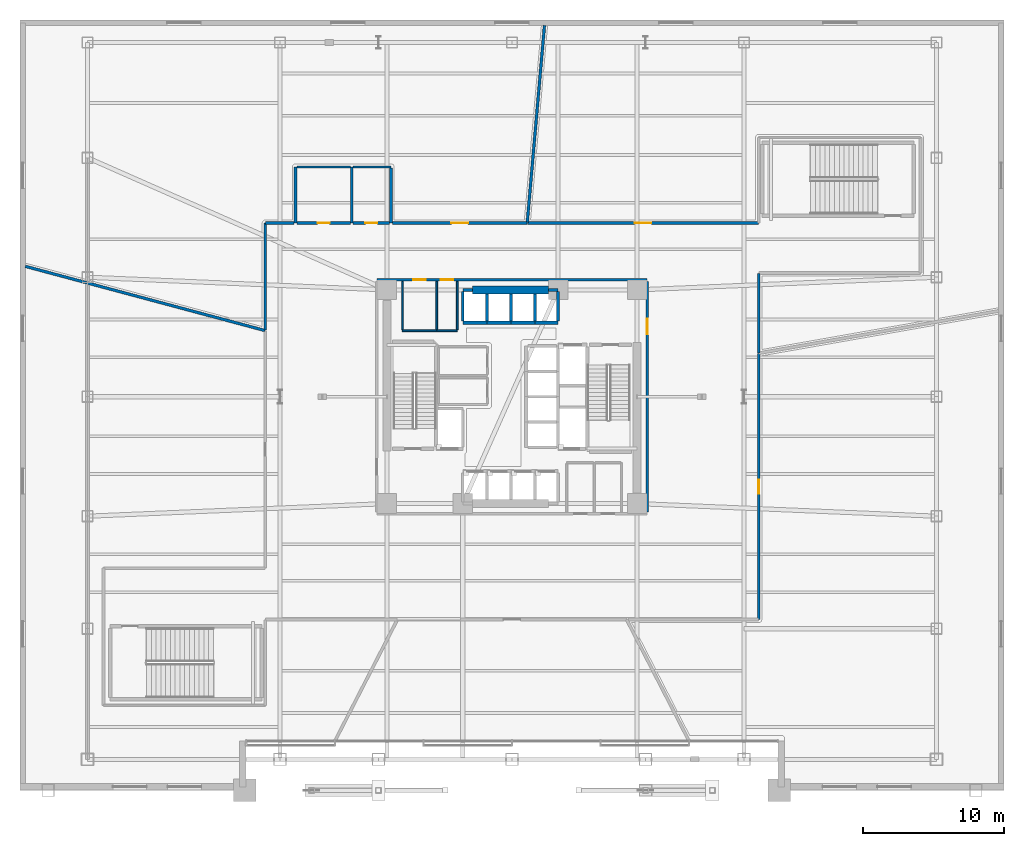
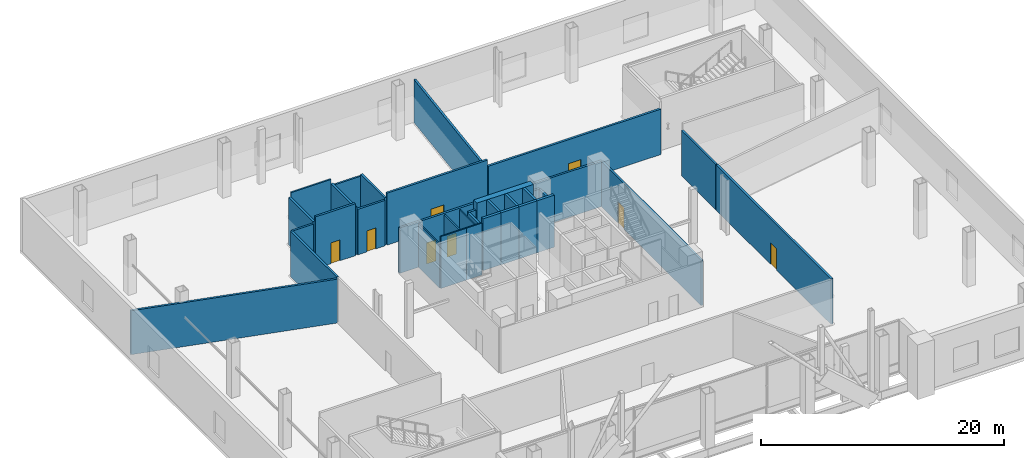
# One storey, part 10 of 16: 34 walls, 8 doors, 8 openings.
"""IFC4 building model written with IfcOpenShell, lengths in metres."""

from ifc_helpers import new_model, si_unit, direction, frame, frame_2d, origin, place, context, subcontext, project, spatial, rectangle, extrude, material, layer, layer_set, type_object, element, fill, save


model = new_model("IFC4")

# Units and contexts
model_context = context("Model", 3, precision=1e-05, world=origin(), true_north=direction((0.0, 1.0)))
body_context = subcontext(model_context, "Body", "Model", "MODEL_VIEW")
ifc_project = project(units=[si_unit("LENGTHUNIT", "METRE"), si_unit("AREAUNIT", "SQUARE_METRE"), si_unit("VOLUMEUNIT", "CUBIC_METRE"), si_unit("PLANEANGLEUNIT", "RADIAN"), si_unit("MASSUNIT", "GRAM", prefix="KILO")], contexts=[model_context])

# Site, building, storey
site_placement = place(None, origin())
site = spatial("IfcSite", under=ifc_project, at=site_placement, CompositionType="ELEMENT")
building_placement = place(site_placement, origin())
building = spatial("IfcBuilding", under=site, at=building_placement, Name="Tharavind Bronze Gate", CompositionType="ELEMENT")
storey_placement = place(building_placement, frame((0.0, 0.0, 5.5)))
storey = spatial("IfcBuildingStorey", under=building, at=storey_placement, Name="L01", CompositionType="ELEMENT", Elevation=5.5)

# Wall, openings, doors
ifc_material_1 = material(Name="Aerated Concrete Block", Category="concrete")
ifc_layer_1 = layer(ifc_material_1, 0.199951171875)
ifc_layer_set_1 = layer_set([ifc_layer_1], Name="Aerated Concrete Block")
wall_type_1 = type_object("IfcWallType", Name="FIRE RATED PARTITION 200", PredefinedType="PARTITIONING", material=ifc_layer_set_1)
wall_1_placement = place(storey_placement, frame((9.6201171875, 8.320068359375, 0.0), z_axis=(0.0, 0.0, 1.0), x_axis=(-1.0, 0.0, 0.0)))
wall_1 = element("IfcWall", 1, at=wall_1_placement, inside=storey, type_object=wall_type_1, Name="L01 north core corridor wall", PredefinedType="PARTITIONING", context=body_context, shape_type="SweptSolid", body=[
    extrude(rectangle(XDim=19.240234375, YDim=0.199951171875, at=frame_2d((9.6201171875, 0.0))), origin(), (0.0, 0.0, 1.0), 4.56494140625),
])
opening_1_placement = place(wall_1_placement, frame((15.7451171875, 0.0, 0.0)))
opening_1 = element("IfcOpeningElement", 2, at=opening_1_placement, cuts=wall_1, Name="Opening ID07", PredefinedType="OPENING", context=body_context, shape_type="SweptSolid", body=[
    extrude(rectangle(XDim=0.89990234375, YDim=2.10009765625, at=frame_2d((0.449951171875, 1.050048828125))), frame((0.0, 0.11009765625, 0.0), z_axis=(0.0, -1.0, 0.0), x_axis=(1.0, 0.0, 0.0)), (0.0, 0.0, 1.0), 0.219951171875),
])
opening_2_placement = place(wall_1_placement, frame((13.794921875, 0.0, 0.0)))
opening_2 = element("IfcOpeningElement", 3, at=opening_2_placement, cuts=wall_1, Name="Opening ID07", PredefinedType="OPENING", context=body_context, shape_type="SweptSolid", body=[
    extrude(rectangle(XDim=0.89990234375, YDim=2.10009765625, at=frame_2d((0.449951171875, 1.050048828125))), frame((0.0, 0.11009765625, 0.0), z_axis=(0.0, -1.0, 0.0), x_axis=(1.0, 0.0, 0.0)), (0.0, 0.0, 1.0), 0.219951171875),
])
ifc_material_2 = material(Name="Galvanised Fire Steel", Category="steel")
door_type_1 = type_object("IfcDoorType", Name="PLANT AND RISER FIRE DOOR 900X2100", OperationType="SINGLE_SWING_LEFT", PredefinedType="DOOR", material=ifc_material_2)
door_1_placement = place(opening_1_placement, origin())
door_1 = element("IfcDoor", 4, at=door_1_placement, inside=storey, type_object=door_type_1, Name="L01 Electrical Metering Room fire door", OperationType="SINGLE_SWING_LEFT", OverallHeight=2.10009765625, OverallWidth=0.89990234375, PredefinedType="DOOR", context=body_context, shape_type="SweptSolid", body=[
    extrude(rectangle(XDim=0.89990234375, YDim=2.10009765625, at=frame_2d((0.449951171875, 1.050048828125))), frame((0.0, 0.02490234375, 0.0), z_axis=(0.0, -1.0, 0.0), x_axis=(1.0, 0.0, 0.0)), (0.0, 0.0, 1.0), 0.050048828125),
])
fill(opening_1, door_1)
door_2_placement = place(opening_2_placement, origin())
door_2 = element("IfcDoor", 5, at=door_2_placement, inside=storey, type_object=door_type_1, Name="L01 Linen Cupboard fire door", OperationType="SINGLE_SWING_LEFT", OverallHeight=2.10009765625, OverallWidth=0.89990234375, PredefinedType="DOOR", context=body_context, shape_type="SweptSolid", body=[
    extrude(rectangle(XDim=0.89990234375, YDim=2.10009765625, at=frame_2d((0.449951171875, 1.050048828125))), frame((0.0, 0.02490234375, 0.0), z_axis=(0.0, -1.0, 0.0), x_axis=(1.0, 0.0, 0.0)), (0.0, 0.0, 1.0), 0.050048828125),
])
fill(opening_2, door_2)

# Wall, opening, door
wall_2_placement = place(storey_placement, frame((9.6201171875, -8.199951171875, 0.0), z_axis=(0.0, 0.0, 1.0), x_axis=(0.0, 1.0, 0.0)))
wall_2 = element("IfcWall", 6, at=wall_2_placement, inside=storey, type_object=wall_type_1, Name="L01 east core corridor wall", PredefinedType="PARTITIONING", context=body_context, shape_type="SweptSolid", body=[
    extrude(rectangle(XDim=16.39990234375, YDim=0.199951171875, at=frame_2d((8.199951171875, 0.0))), origin(), (0.0, 0.0, 1.0), 4.56494140625),
])
opening_3_placement = place(wall_2_placement, frame((12.64990234375, 0.0, 0.0)))
opening_3 = element("IfcOpeningElement", 7, at=opening_3_placement, cuts=wall_2, Name="Opening ID01", PredefinedType="OPENING", context=body_context, shape_type="SweptSolid", body=[
    extrude(rectangle(XDim=1.10009765625, YDim=2.14990234375, at=frame_2d((0.550048828125, 1.074951171875))), frame((0.0, 0.11009765625, 0.0), z_axis=(0.0, -1.0, 0.0), x_axis=(1.0, 0.0, 0.0)), (0.0, 0.0, 1.0), 0.219951171875),
])
ifc_material_3 = material(Name="Fire-Rated Steel", Category="steel")
door_type_2 = type_object("IfcDoorType", Name="STAIR CORE FIRE DOOR 1100X2150", OperationType="SINGLE_SWING_LEFT", PredefinedType="DOOR", material=ifc_material_3)
door_3_placement = place(opening_3_placement, frame((1.10009765625, 0.0, 0.0), z_axis=(0.0, 0.0, 1.0), x_axis=(-1.0, 0.0, 0.0)))
door_3 = element("IfcDoor", 8, at=door_3_placement, inside=storey, type_object=door_type_2, Name="L01 north east stair lobby fire door", OperationType="SINGLE_SWING_LEFT", OverallHeight=2.14990234375, OverallWidth=1.10009765625, PredefinedType="DOOR", context=body_context, shape_type="SweptSolid", body=[
    extrude(rectangle(XDim=1.10009765625, YDim=2.14990234375, at=frame_2d((0.550048828125, 1.074951171875))), frame((0.0, 0.02490234375, 0.0), z_axis=(0.0, -1.0, 0.0), x_axis=(1.0, 0.0, 0.0)), (0.0, 0.0, 1.0), 0.050048828125),
])
fill(opening_3, door_3)

# Walls
wall_3_placement = place(storey_placement, frame((-11.39990234375, 12.35009765625, 0.0), z_axis=(0.0, 0.0, 1.0), x_axis=(0.0, 1.0, 0.0)))
element("IfcWall", 9, at=wall_3_placement, inside=storey, type_object=wall_type_1, Name="L01 Accessible Toilet partition", PredefinedType="PARTITIONING", context=body_context, shape_type="SweptSolid", body=[
    extrude(rectangle(XDim=4.0, YDim=0.199951171875, at=frame_2d((2.0, 0.0))), origin(), (0.0, 0.0, 1.0), 4.764892578125),
])
wall_4_placement = place(storey_placement, frame((-8.60009765625, 16.27001953125, 0.0), z_axis=(0.0, 0.0, 1.0), x_axis=(0.0, -1.0, 0.0)))
element("IfcWall", 10, at=wall_4_placement, inside=storey, type_object=wall_type_1, Name="L01 Accessible Toilet partition", PredefinedType="PARTITIONING", context=body_context, shape_type="SweptSolid", body=[
    extrude(rectangle(XDim=3.919921875, YDim=0.199951171875, at=frame_2d((1.9599609375, 0.0))), origin(), (0.0, 0.0, 1.0), 4.764892578125),
])

# Wall, opening, door
wall_5_placement = place(storey_placement, frame((-8.705078125, 12.35009765625, 0.0), z_axis=(0.0, 0.0, 1.0), x_axis=(-1.0, 0.0, 0.0)))
wall_5 = element("IfcWall", 11, at=wall_5_placement, inside=storey, type_object=wall_type_1, Name="L01 Accessible Toilet partition", PredefinedType="PARTITIONING", context=body_context, shape_type="SweptSolid", body=[
    extrude(rectangle(XDim=2.58984375, YDim=0.199951171875, at=frame_2d((1.294921875, 0.0))), origin(), (0.0, 0.0, 1.0), 4.56494140625),
])
opening_4_placement = place(wall_5_placement, frame((0.8701171875, 0.0, 0.0)))
opening_4 = element("IfcOpeningElement", 12, at=opening_4_placement, cuts=wall_5, Name="Opening ID06", PredefinedType="OPENING", context=body_context, shape_type="SweptSolid", body=[
    extrude(rectangle(XDim=0.85009765625, YDim=2.10009765625, at=frame_2d((0.425048828125, 1.050048828125))), frame((0.0, 0.11009765625, 0.0), z_axis=(0.0, -1.0, 0.0), x_axis=(1.0, 0.0, 0.0)), (0.0, 0.0, 1.0), 0.219951171875),
])
ifc_material_4 = material(Name="Moisture-Resistant Timber", Category="wood")
door_type_3 = type_object("IfcDoorType", Name="BATHROOM PRIVACY DOOR 850X2100", OperationType="SINGLE_SWING_RIGHT", PredefinedType="DOOR", material=ifc_material_4)
door_4_placement = place(opening_4_placement, origin())
door_4 = element("IfcDoor", 13, at=door_4_placement, inside=storey, type_object=door_type_3, Name="L01 Accessible Toilet door", OperationType="SINGLE_SWING_RIGHT", OverallHeight=2.10009765625, OverallWidth=0.85009765625, PredefinedType="DOOR", context=body_context, shape_type="SweptSolid", body=[
    extrude(rectangle(XDim=0.85009765625, YDim=2.10009765625, at=frame_2d((0.425048828125, 1.050048828125))), frame((0.0, 0.02490234375, 0.0), z_axis=(0.0, -1.0, 0.0), x_axis=(1.0, 0.0, 0.0)), (0.0, 0.0, 1.0), 0.050048828125),
])
fill(opening_4, door_4)

# Wall
wall_6_placement = place(storey_placement, frame((-15.39990234375, 12.35009765625, 0.0), z_axis=(0.0, 0.0, 1.0), x_axis=(0.0, 1.0, 0.0)))
element("IfcWall", 14, at=wall_6_placement, inside=storey, type_object=wall_type_1, Name="L01 Public Washroom partition", PredefinedType="PARTITIONING", context=body_context, shape_type="SweptSolid", body=[
    extrude(rectangle(XDim=4.0, YDim=0.199951171875, at=frame_2d((2.0, 0.0))), origin(), (0.0, 0.0, 1.0), 4.764892578125),
])

# Wall, opening, door
wall_7_placement = place(storey_placement, frame((-11.5048828125, 12.35009765625, 0.0), z_axis=(0.0, 0.0, 1.0), x_axis=(-1.0, 0.0, 0.0)))
wall_7 = element("IfcWall", 15, at=wall_7_placement, inside=storey, type_object=wall_type_1, Name="L01 Public Washroom partition", PredefinedType="PARTITIONING", context=body_context, shape_type="SweptSolid", body=[
    extrude(rectangle(XDim=3.7900390625, YDim=0.199951171875, at=frame_2d((1.89501953125, 0.0))), origin(), (0.0, 0.0, 1.0), 5.219970703125),
])
opening_5_placement = place(wall_7_placement, frame((1.469970703125, 0.0, 0.0)))
opening_5 = element("IfcOpeningElement", 16, at=opening_5_placement, cuts=wall_7, Name="Opening ID06", PredefinedType="OPENING", context=body_context, shape_type="SweptSolid", body=[
    extrude(rectangle(XDim=0.85009765625, YDim=2.10009765625, at=frame_2d((0.425048828125, 1.050048828125))), frame((0.0, 0.11009765625, 0.0), z_axis=(0.0, -1.0, 0.0), x_axis=(1.0, 0.0, 0.0)), (0.0, 0.0, 1.0), 0.219951171875),
])
door_5_placement = place(opening_5_placement, origin())
door_5 = element("IfcDoor", 17, at=door_5_placement, inside=storey, type_object=door_type_3, Name="L01 Public Washroom door", OperationType="SINGLE_SWING_RIGHT", OverallHeight=2.10009765625, OverallWidth=0.85009765625, PredefinedType="DOOR", context=body_context, shape_type="SweptSolid", body=[
    extrude(rectangle(XDim=0.85009765625, YDim=2.10009765625, at=frame_2d((0.425048828125, 1.050048828125))), frame((0.0, 0.02490234375, 0.0), z_axis=(0.0, -1.0, 0.0), x_axis=(1.0, 0.0, 0.0)), (0.0, 0.0, 1.0), 0.050048828125),
])
fill(opening_5, door_5)

wall_8_placement = place(storey_placement, frame((17.52490234375, 12.35009765625, 0.0), z_axis=(0.0, 0.0, 1.0), x_axis=(-1.0, 0.0, 0.0)))
wall_8 = element("IfcWall", 18, at=wall_8_placement, inside=storey, type_object=wall_type_1, Name="L01 Mezzanine Art Gallery partition", PredefinedType="PARTITIONING", context=body_context, shape_type="SweptSolid", body=[
    extrude(rectangle(XDim=16.4169921875, YDim=0.199951171875, at=frame_2d((8.20849609375, 0.0))), origin(), (0.0, 0.0, 1.0), 4.56494140625),
])
opening_6_placement = place(wall_8_placement, frame((7.60888671875, 0.0, 0.0)))
opening_6 = element("IfcOpeningElement", 19, at=opening_6_placement, cuts=wall_8, Name="Opening ID05", PredefinedType="OPENING", context=body_context, shape_type="SweptSolid", body=[
    extrude(rectangle(XDim=1.199951171875, YDim=2.14990234375, at=frame_2d((0.60009765625, 1.074951171875))), frame((0.0, 0.11009765625, 0.0), z_axis=(0.0, -1.0, 0.0), x_axis=(1.0, 0.0, 0.0)), (0.0, 0.0, 1.0), 0.219951171875),
])
ifc_material_5 = material(Name="Acoustic Laminated Glass", Category="glass")
door_type_4 = type_object("IfcDoorType", Name="MEETING ROOM GLAZED DOOR 1200X2150", OperationType="SINGLE_SWING_LEFT", PredefinedType="DOOR", material=ifc_material_5)
door_6_placement = place(opening_6_placement, origin())
door_6 = element("IfcDoor", 20, at=door_6_placement, inside=storey, type_object=door_type_4, Name="L01 Mezzanine Art Gallery door", OperationType="SINGLE_SWING_LEFT", OverallHeight=2.14990234375, OverallWidth=1.199951171875, PredefinedType="DOOR", context=body_context, shape_type="SweptSolid", body=[
    extrude(rectangle(XDim=1.199951171875, YDim=2.14990234375, at=frame_2d((0.60009765625, 1.074951171875))), frame((0.0, 0.02490234375, 0.0), z_axis=(0.0, -1.0, 0.0), x_axis=(1.0, 0.0, 0.0)), (0.0, 0.0, 1.0), 0.050048828125),
])
fill(opening_6, door_6)

# Walls
wall_9_placement = place(storey_placement, frame((1.0830078125, 12.377197265625, 0.0), z_axis=(0.0, 0.0, 1.0), x_axis=(0.087151266389, 0.996195089712, 0.0)))
element("IfcWall", 21, at=wall_9_placement, inside=storey, type_object=wall_type_1, Name="L01 Mezzanine Art Gallery partition", PredefinedType="PARTITIONING", context=body_context, shape_type="SweptSolid", body=[
    extrude(rectangle(XDim=14.096435546875, YDim=0.199951171875, at=frame_2d((7.04833984375, 0.0))), origin(), (0.0, 0.0, 1.0), 4.31494140625),
])
wall_10_placement = place(storey_placement, frame((17.550048828125, 3.124267578125, 0.0), z_axis=(0.0, 0.0, 1.0), x_axis=(0.0, 1.0, 0.0)))
element("IfcWall", 22, at=wall_10_placement, inside=storey, type_object=wall_type_1, Name="L01 Mezzanine Art Gallery partition", PredefinedType="PARTITIONING", context=body_context, shape_type="SweptSolid", body=[
    extrude(rectangle(XDim=5.650634765625, YDim=0.199951171875, at=frame_2d((2.8251953125, 0.0))), origin(), (0.0, 0.0, 1.0), 4.56494140625),
])

# Wall, opening, door
wall_11_placement = place(storey_placement, frame((1.0576171875, 12.35009765625, 0.0), z_axis=(0.0, 0.0, 1.0), x_axis=(-1.0, 0.0, 0.0)))
wall_11 = element("IfcWall", 23, at=wall_11_placement, inside=storey, type_object=wall_type_1, Name="L01 Specialty Brasserie Restaurant partition", PredefinedType="PARTITIONING", context=body_context, shape_type="SweptSolid", body=[
    extrude(rectangle(XDim=9.552734375, YDim=0.199951171875, at=frame_2d((4.7763671875, 0.0))), origin(), (0.0, 0.0, 1.0), 5.219970703125),
])
opening_7_placement = place(wall_11_placement, frame((4.176025390625, 0.0, 0.0)))
opening_7 = element("IfcOpeningElement", 24, at=opening_7_placement, cuts=wall_11, Name="Opening ID05", PredefinedType="OPENING", context=body_context, shape_type="SweptSolid", body=[
    extrude(rectangle(XDim=1.199951171875, YDim=2.14990234375, at=frame_2d((0.60009765625, 1.074951171875))), frame((0.0, 0.11009765625, 0.0), z_axis=(0.0, -1.0, 0.0), x_axis=(1.0, 0.0, 0.0)), (0.0, 0.0, 1.0), 0.219951171875),
])
door_7_placement = place(opening_7_placement, origin())
door_7 = element("IfcDoor", 25, at=door_7_placement, inside=storey, type_object=door_type_4, Name="L01 Specialty Brasserie Restaurant door", OperationType="SINGLE_SWING_LEFT", OverallHeight=2.14990234375, OverallWidth=1.199951171875, PredefinedType="DOOR", context=body_context, shape_type="SweptSolid", body=[
    extrude(rectangle(XDim=1.199951171875, YDim=2.14990234375, at=frame_2d((0.60009765625, 1.074951171875))), frame((0.0, 0.02490234375, 0.0), z_axis=(0.0, -1.0, 0.0), x_axis=(1.0, 0.0, 0.0)), (0.0, 0.0, 1.0), 0.050048828125),
])
fill(opening_7, door_7)

# Walls
wall_12_placement = place(storey_placement, frame((-15.5048828125, 12.35009765625, 0.0), z_axis=(0.0, 0.0, 1.0), x_axis=(-1.0, 0.0, 0.0)))
element("IfcWall", 26, at=wall_12_placement, inside=storey, type_object=wall_type_1, Name="L01 Specialty Brasserie Restaurant partition", PredefinedType="PARTITIONING", context=body_context, shape_type="SweptSolid", body=[
    extrude(rectangle(XDim=2.04443359375, YDim=0.199951171875, at=frame_2d((1.022216796875, 0.0))), origin(), (0.0, 0.0, 1.0), 4.56494140625),
])
wall_13_placement = place(storey_placement, frame((-17.550048828125, 12.349365234375, 0.0), z_axis=(0.0, 0.0, 1.0), x_axis=(0.0, -1.0, 0.0)))
element("IfcWall", 27, at=wall_13_placement, inside=storey, type_object=wall_type_1, Name="L01 Specialty Brasserie Restaurant partition", PredefinedType="PARTITIONING", context=body_context, shape_type="SweptSolid", body=[
    extrude(rectangle(XDim=7.6142578125, YDim=0.199951171875, at=frame_2d((3.80712890625, 0.0))), origin(), (0.0, 0.0, 1.0), 4.56494140625),
])
wall_14_placement = place(storey_placement, frame((-17.58154296875, 4.7109375, 0.0), z_axis=(0.0, 0.0, 1.0), x_axis=(-0.965926428831, 0.258816796377, 0.0)))
element("IfcWall", 28, at=wall_14_placement, inside=storey, type_object=wall_type_1, Name="L01 Specialty Brasserie Restaurant partition", PredefinedType="PARTITIONING", context=body_context, shape_type="SweptSolid", body=[
    extrude(rectangle(XDim=17.6396484375, YDim=0.199951171875, at=frame_2d((8.81982421875, 0.0))), origin(), (0.0, 0.0, 1.0), 4.4150390625),
])

# Wall, opening, door
wall_15_placement = place(storey_placement, frame((17.550048828125, -15.849365234375, 0.0), z_axis=(0.0, 0.0, 1.0), x_axis=(0.0, 1.0, 0.0)))
wall_15 = element("IfcWall", 29, at=wall_15_placement, inside=storey, type_object=wall_type_1, Name="L01 Management Administration Office partition", PredefinedType="PARTITIONING", context=body_context, shape_type="SweptSolid", body=[
    extrude(rectangle(XDim=18.9228515625, YDim=0.199951171875, at=frame_2d((9.46142578125, 0.0))), origin(), (0.0, 0.0, 1.0), 4.56494140625),
])
opening_8_placement = place(wall_15_placement, frame((8.9609375, 0.0, 0.0)))
opening_8 = element("IfcOpeningElement", 30, at=opening_8_placement, cuts=wall_15, Name="Opening ID04", PredefinedType="OPENING", context=body_context, shape_type="SweptSolid", body=[
    extrude(rectangle(XDim=1.0, YDim=2.14990234375, at=frame_2d((0.5, 1.074951171875))), frame((0.0, 0.11009765625, 0.0), z_axis=(0.0, -1.0, 0.0), x_axis=(1.0, 0.0, 0.0)), (0.0, 0.0, 1.0), 0.219951171875),
])
ifc_material_6 = material(Name="Bronze Framed Acoustic Timber", Category="wood")
door_type_5 = type_object("IfcDoorType", Name="OFFICE TENANCY DOOR 1000X2150", OperationType="SINGLE_SWING_RIGHT", PredefinedType="DOOR", material=ifc_material_6)
door_8_placement = place(opening_8_placement, origin())
door_8 = element("IfcDoor", 31, at=door_8_placement, inside=storey, type_object=door_type_5, Name="L01 Management Administration Office door", OperationType="SINGLE_SWING_RIGHT", OverallHeight=2.14990234375, OverallWidth=1.0, PredefinedType="DOOR", context=body_context, shape_type="SweptSolid", body=[
    extrude(rectangle(XDim=1.0, YDim=2.14990234375, at=frame_2d((0.5, 1.074951171875))), frame((0.0, 0.02490234375, 0.0), z_axis=(0.0, -1.0, 0.0), x_axis=(1.0, 0.0, 0.0)), (0.0, 0.0, 1.0), 0.050048828125),
])
fill(opening_8, door_8)

# Walls
ifc_material_7 = material(Name="Metal Stud Gypsum Partition", Category="gypsum")
ifc_layer_2 = layer(ifc_material_7, 0.1201171875)
ifc_layer_set_2 = layer_set([ifc_layer_2], Name="Metal Stud Gypsum Partition")
wall_type_2 = type_object("IfcWallType", Name="INTERIOR PARTITION WALL 120", PredefinedType="PARTITIONING", material=ifc_layer_set_2)
wall_16_placement = place(storey_placement, frame((-7.800048828125, 4.699951171875, 0.0), z_axis=(0.0, 0.0, 1.0), x_axis=(1.0, 0.0, 0.0)))
element("IfcWall", 32, at=wall_16_placement, inside=storey, type_object=wall_type_2, Name="L01 Electrical Metering Room partition 1", PredefinedType="PARTITIONING", context=body_context, shape_type="SweptSolid", body=[
    extrude(rectangle(XDim=2.449951171875, YDim=0.1201171875, at=frame_2d((1.22509765625, 0.0))), origin(), (0.0, 0.0, 1.0), 5.219970703125),
])
for number, where, z_axis, x_axis, name in (
    (33, (-5.35009765625, 4.764892578125, 0.0), (0.0, 0.0, 1.0), (0.0, 1.0, 0.0), "L01 Electrical Metering Room partition 2"),
    (34, (-7.800048828125, 8.215087890625, 0.0), (0.0, 0.0, 1.0), (0.0, -1.0, 0.0), "L01 Electrical Metering Room partition 4"),
):
    element("IfcWall", number, at=place(storey_placement, frame(where, z_axis=z_axis, x_axis=x_axis)), inside=storey, type_object=wall_type_2, Name=name, PredefinedType="PARTITIONING", context=body_context, shape_type="SweptSolid", body=[
        extrude(rectangle(XDim=3.4501953125, YDim=0.1201171875, at=frame_2d((1.72509765625, 0.0))), origin(), (0.0, 0.0, 1.0), 4.4150390625),
    ])
wall_17_placement = place(storey_placement, frame((-5.35009765625, 4.699951171875, 0.0), z_axis=(0.0, 0.0, 1.0), x_axis=(1.0, 0.0, 0.0)))
element("IfcWall", 35, at=wall_17_placement, inside=storey, type_object=wall_type_2, Name="L01 Linen Cupboard partition 1", PredefinedType="PARTITIONING", context=body_context, shape_type="SweptSolid", body=[
    extrude(rectangle(XDim=1.4501953125, YDim=0.1201171875, at=frame_2d((0.72509765625, 0.0))), origin(), (0.0, 0.0, 1.0), 5.219970703125),
])
wall_18_placement = place(storey_placement, frame((-3.89990234375, 4.764892578125, 0.0), z_axis=(0.0, 0.0, 1.0), x_axis=(0.0, 1.0, 0.0)))
element("IfcWall", 36, at=wall_18_placement, inside=storey, type_object=wall_type_2, Name="L01 Linen Cupboard partition 2", PredefinedType="PARTITIONING", context=body_context, shape_type="SweptSolid", body=[
    extrude(rectangle(XDim=3.4501953125, YDim=0.1201171875, at=frame_2d((1.72509765625, 0.0))), origin(), (0.0, 0.0, 1.0), 4.4150390625),
])
ifc_material_8 = material(Name="Twin Stud Acoustic Gypsum", Category="gypsum")
ifc_layer_3 = layer(ifc_material_8, 0.14990234375)
ifc_layer_set_3 = layer_set([ifc_layer_3], Name="Twin Stud Acoustic Gypsum")
wall_type_3 = type_object("IfcWallType", Name="INTERIOR PARTITION WALL 150", PredefinedType="PARTITIONING", material=ifc_layer_set_3)
wall_19_placement = place(storey_placement, frame((-11.294921875, 16.35009765625, 0.0), z_axis=(0.0, 0.0, 1.0), x_axis=(1.0, 0.0, 0.0)))
element("IfcWall", 37, at=wall_19_placement, inside=storey, type_object=wall_type_3, Name="L01 Accessible Toilet partition", PredefinedType="PARTITIONING", context=body_context, shape_type="SweptSolid", body=[
    extrude(rectangle(XDim=2.69482421875, YDim=0.14990234375, at=frame_2d((1.347412109375, 0.0))), origin(), (0.0, 0.0, 1.0), 4.56494140625),
])
wall_20_placement = place(storey_placement, frame((-15.294921875, 16.35009765625, 0.0), z_axis=(0.0, 0.0, 1.0), x_axis=(1.0, 0.0, 0.0)))
element("IfcWall", 38, at=wall_20_placement, inside=storey, type_object=wall_type_3, Name="L01 Public Washroom partition", PredefinedType="PARTITIONING", context=body_context, shape_type="SweptSolid", body=[
    extrude(rectangle(XDim=3.7900390625, YDim=0.14990234375, at=frame_2d((1.89501953125, 0.0))), origin(), (0.0, 0.0, 1.0), 5.219970703125),
])
ifc_material_9 = material(Name="Concrete C50/60", Category="concrete")
ifc_layer_4 = layer(ifc_material_9, 0.25)
ifc_layer_set_4 = layer_set([ifc_layer_4], Name="Concrete C50/60")
wall_type_4 = type_object("IfcWallType", Name="RC CORE SHEAR WALL 250", PredefinedType="SHEAR", material=ifc_layer_set_4)
wall_21_placement = place(storey_placement, frame((-3.5, 5.25, 0.0), z_axis=(0.0, 0.0, 1.0), x_axis=(1.0, 0.0, 0.0)))
element("IfcWall", 39, at=wall_21_placement, inside=storey, type_object=wall_type_4, Name="L01 lift PL5 shaft front wall", PredefinedType="SHEAR", context=body_context, shape_type="SweptSolid", body=[
    extrude(rectangle(XDim=1.71240234375, YDim=0.25, at=frame_2d((0.856201171875, 0.0))), origin(), (0.0, 0.0, 1.0), 5.219970703125),
])
wall_22_placement = place(storey_placement, frame((-1.78759765625, 5.25, 0.0), z_axis=(0.0, 0.0, 1.0), x_axis=(1.0, 0.0, 0.0)))
element("IfcWall", 40, at=wall_22_placement, inside=storey, type_object=wall_type_4, Name="L01 lift PL6 shaft front wall", PredefinedType="SHEAR", context=body_context, shape_type="SweptSolid", body=[
    extrude(rectangle(XDim=1.712646484375, YDim=0.25, at=frame_2d((0.8564453125, 0.0))), origin(), (0.0, 0.0, 1.0), 5.219970703125),
])
wall_23_placement = place(storey_placement, frame((-0.074951171875, 5.25, 0.0), z_axis=(0.0, 0.0, 1.0), x_axis=(1.0, 0.0, 0.0)))
element("IfcWall", 41, at=wall_23_placement, inside=storey, type_object=wall_type_4, Name="L01 lift PL7 shaft front wall", PredefinedType="SHEAR", context=body_context, shape_type="SweptSolid", body=[
    extrude(rectangle(XDim=1.71240234375, YDim=0.25, at=frame_2d((0.856201171875, 0.0))), origin(), (0.0, 0.0, 1.0), 5.219970703125),
])
wall_24_placement = place(storey_placement, frame((1.637451171875, 5.25, 0.0), z_axis=(0.0, 0.0, 1.0), x_axis=(1.0, 0.0, 0.0)))
element("IfcWall", 42, at=wall_24_placement, inside=storey, type_object=wall_type_4, Name="L01 lift PL8 shaft front wall", PredefinedType="SHEAR", context=body_context, shape_type="SweptSolid", body=[
    extrude(rectangle(XDim=1.642578125, YDim=0.25, at=frame_2d((0.8212890625, 0.0))), origin(), (0.0, 0.0, 1.0), 5.219970703125),
])
ifc_material_10 = material(Name="Concrete C60/75", Category="concrete")
ifc_layer_5 = layer(ifc_material_10, 0.550048828125)
ifc_layer_set_5 = layer_set([ifc_layer_5], Name="Concrete C60/75")
wall_type_5 = type_object("IfcWallType", Name="RC CORE SHEAR WALL 550", PredefinedType="SHEAR", material=ifc_layer_set_5)
wall_25_placement = place(storey_placement, frame((-2.800048828125, 7.60009765625, 0.0), z_axis=(0.0, 0.0, 1.0), x_axis=(1.0, 0.0, 0.0)))
element("IfcWall", 43, at=wall_25_placement, inside=storey, type_object=wall_type_5, Name="L01 north core shear wall", PredefinedType="SHEAR", context=body_context, shape_type="SweptSolid", body=[
    extrude(rectangle(XDim=5.380126953125, YDim=0.550048828125, at=frame_2d((2.68994140625, 0.0))), origin(), (0.0, 0.0, 1.0), 5.219970703125),
])
ifc_material_11 = material(Name="Concrete C40/50", Category="concrete")
ifc_layer_6 = layer(ifc_material_11, 0.199951171875)
ifc_layer_set_6 = layer_set([ifc_layer_6], Name="Concrete C40/50")
wall_type_6 = type_object("IfcWallType", Name="SHAFT ENCLOSURE WALL 200", PredefinedType="PARTITIONING", material=ifc_layer_set_6)
wall_26_placement = place(storey_placement, frame((-3.5, 7.60009765625, 0.0), z_axis=(0.0, 0.0, 1.0), x_axis=(1.0, 0.0, 0.0)))
element("IfcWall", 44, at=wall_26_placement, inside=storey, type_object=wall_type_6, Name="L01 lift PL5 shaft N enclosure wall", PredefinedType="PARTITIONING", context=body_context, shape_type="SweptSolid", body=[
    extrude(rectangle(XDim=0.699951171875, YDim=0.199951171875, at=frame_2d((0.35009765625, 0.0))), origin(), (0.0, 0.0, 1.0), 4.4150390625),
])
wall_27_placement = place(storey_placement, frame((-3.5, 5.3798828125, 0.0), z_axis=(0.0, 0.0, 1.0), x_axis=(0.0, 1.0, 0.0)))
element("IfcWall", 45, at=wall_27_placement, inside=storey, type_object=wall_type_6, Name="L01 lift PL5 shaft W enclosure wall", PredefinedType="PARTITIONING", context=body_context, shape_type="SweptSolid", body=[
    extrude(rectangle(XDim=2.115234375, YDim=0.199951171875, at=frame_2d((1.0576171875, 0.0))), origin(), (0.0, 0.0, 1.0), 4.4150390625),
])
for number, where, z_axis, x_axis, name in (
    (46, (-1.78759765625, 5.3798828125, 0.0), (0.0, 0.0, 1.0), (0.0, 1.0, 0.0), "L01 lift PL5 shaft E enclosure wall"),
    (47, (-0.074951171875, 5.3798828125, 0.0), (0.0, 0.0, 1.0), (0.0, 1.0, 0.0), "L01 lift PL6 shaft E enclosure wall"),
    (48, (1.637451171875, 5.3798828125, 0.0), (0.0, 0.0, 1.0), (0.0, 1.0, 0.0), "L01 lift PL7 shaft E enclosure wall"),
):
    element("IfcWall", number, at=place(storey_placement, frame(where, z_axis=z_axis, x_axis=x_axis)), inside=storey, type_object=wall_type_6, Name=name, PredefinedType="PARTITIONING", context=body_context, shape_type="SweptSolid", body=[
        extrude(rectangle(XDim=1.940185546875, YDim=0.199951171875, at=frame_2d((0.97021484375, 0.0))), origin(), (0.0, 0.0, 1.0), 5.219970703125),
    ])
wall_28_placement = place(storey_placement, frame((2.580078125, 7.60009765625, 0.0), z_axis=(0.0, 0.0, 1.0), x_axis=(1.0, 0.0, 0.0)))
element("IfcWall", 49, at=wall_28_placement, inside=storey, type_object=wall_type_6, Name="L01 lift PL8 shaft N enclosure wall", PredefinedType="PARTITIONING", context=body_context, shape_type="SweptSolid", body=[
    extrude(rectangle(XDim=0.699951171875, YDim=0.199951171875, at=frame_2d((0.35009765625, 0.0))), origin(), (0.0, 0.0, 1.0), 4.4150390625),
])
wall_29_placement = place(storey_placement, frame((3.280029296875, 5.3798828125, 0.0), z_axis=(0.0, 0.0, 1.0), x_axis=(0.0, 1.0, 0.0)))
element("IfcWall", 50, at=wall_29_placement, inside=storey, type_object=wall_type_6, Name="L01 lift PL8 shaft E enclosure wall", PredefinedType="PARTITIONING", context=body_context, shape_type="SweptSolid", body=[
    extrude(rectangle(XDim=2.115234375, YDim=0.199951171875, at=frame_2d((1.0576171875, 0.0))), origin(), (0.0, 0.0, 1.0), 4.4150390625),
])

save(model, "model.ifc")
